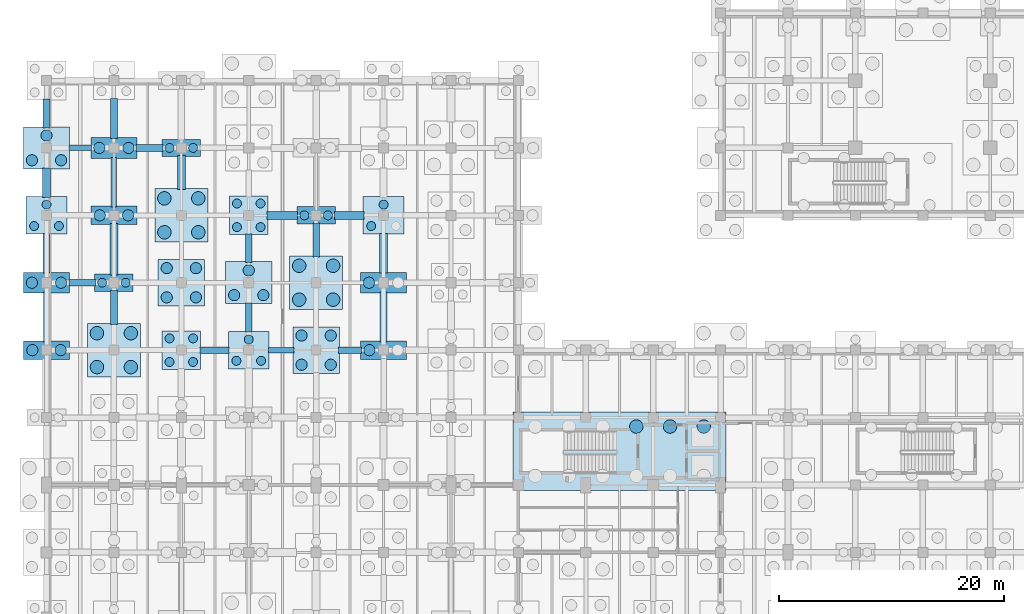
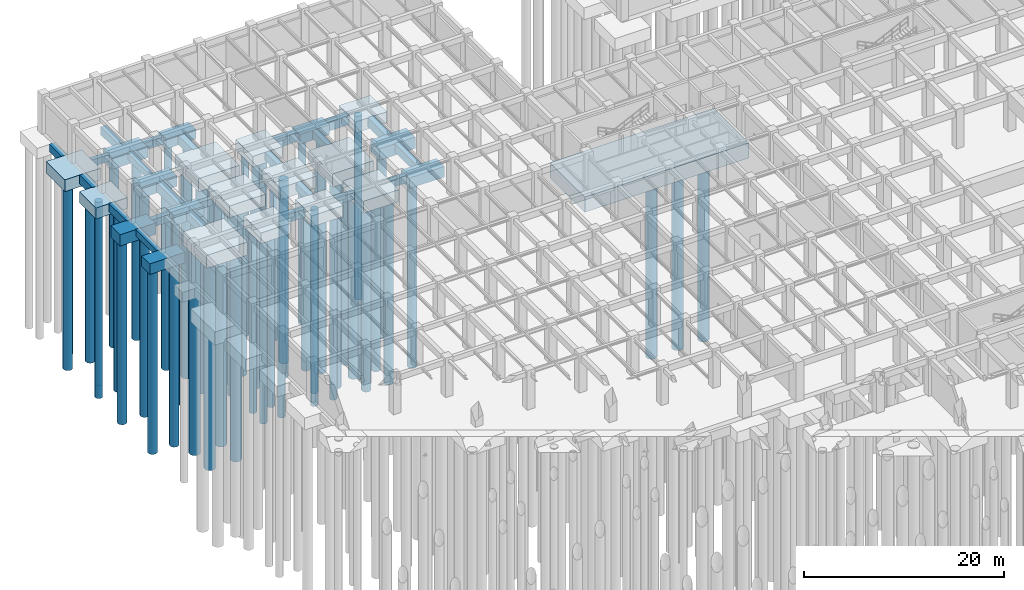
# One storey, part 11 of 54: 61 piles, 44 footings.
"""IFC4 building model written with IfcOpenShell, lengths in metres."""

import ifcopenshell
import ifcopenshell.guid

model = None  # the IFC model being written
_history = None  # IfcOwnerHistory: only IFC2X3 demands one
_inside = {}  # id of a spatial element -> (the spatial element, [elements in it])
_under = {}  # id of a project, library or spatial element -> (it, [spatial elements below it])
_declared = {}  # id of a project -> (the project, [libraries it declares])
_typed = {}  # id of a type object -> (the type object, [elements of that type])
_made_of = {}  # id of a material, layer set ... -> (it, [elements and type objects made of it])


def new_model(schema):
    """Start an empty IFC model of exactly this schema.

    Asked for "IFC4X3", IfcOpenShell would pick the latest addendum, in which some entities
    have other attributes; the version numbers below select the first issue.
    IFC2X3 requires an IfcOwnerHistory on every rooted entity: one is made here for all.
    """
    global model, _history
    if schema == "IFC4X3":
        model = ifcopenshell.file(schema_version=(4, 3, 0, 0))
    else:
        model = ifcopenshell.file(schema=schema)
    _inside.clear()
    _under.clear()
    _declared.clear()
    _typed.clear()
    _made_of.clear()
    _history = None
    if model.schema == "IFC2X3":
        org = make("IfcOrganization", Name="unknown")
        user = make(
            "IfcPersonAndOrganization",
            ThePerson=make("IfcPerson", FamilyName="unknown"),
            TheOrganization=org,
        )
        app = make(
            "IfcApplication",
            ApplicationDeveloper=org,
            Version="unknown",
            ApplicationFullName="unknown",
            ApplicationIdentifier="unknown",
        )
        _history = make(
            "IfcOwnerHistory",
            OwningUser=user,
            OwningApplication=app,
            ChangeAction="ADDED",
            CreationDate=0,
        )
    return model


def make(cls, **values):
    """One entity of the class cls with the attributes given. An attribute that is None is left unset."""
    return model.create_entity(
        cls, **{name: value for name, value in values.items() if value is not None}
    )


def rooted(cls, **values):
    """An entity with a GlobalId (a new one), such as an element, a storey or a relation."""
    return make(cls, GlobalId=ifcopenshell.guid.new(), OwnerHistory=_history, **values)


def si_unit(unit_type, name, prefix=None):
    """IfcSIUnit, for example si_unit("LENGTHUNIT", "METRE", prefix="MILLI")."""
    return make("IfcSIUnit", UnitType=unit_type, Prefix=prefix, Name=name)


def assignment(units):
    """IfcUnitAssignment: the units of a project."""
    return None if units is None else make("IfcUnitAssignment", Units=units)


def point(xyz):
    """IfcCartesianPoint."""
    return None if xyz is None else make("IfcCartesianPoint", Coordinates=xyz)


def direction(xyz):
    """IfcDirection."""
    return None if xyz is None else make("IfcDirection", DirectionRatios=xyz)


def frame(location, z_axis=None, x_axis=None):
    """IfcAxis2Placement3D, a coordinate frame: its origin and axes. An axis left out is left unset."""
    return make(
        "IfcAxis2Placement3D",
        Location=point(location),
        Axis=direction(z_axis),
        RefDirection=direction(x_axis),
    )


def frame_2d(location, x_axis=None):
    """IfcAxis2Placement2D, a coordinate frame in the plane: its origin and x axis."""
    return make(
        "IfcAxis2Placement2D", Location=point(location), RefDirection=direction(x_axis)
    )


def origin():
    """The frame at (0, 0, 0) with its axes left unset."""
    return frame((0.0, 0.0, 0.0))


def origin_2d():
    """The frame at (0, 0) in the plane with its x axis left unset."""
    return frame_2d((0.0, 0.0))


def place(relative_to, where):
    """IfcLocalPlacement: puts the frame where relative to a parent placement (None: the world)."""
    return make(
        "IfcLocalPlacement", PlacementRelTo=relative_to, RelativePlacement=where
    )


def context(
    kind, dimensions, precision=None, world=None, true_north=None, identifier=None
):
    """IfcGeometricRepresentationContext, for example the 3D "Model" context."""
    return make(
        "IfcGeometricRepresentationContext",
        ContextIdentifier=identifier,
        ContextType=kind,
        CoordinateSpaceDimension=dimensions,
        Precision=precision,
        WorldCoordinateSystem=world,
        TrueNorth=true_north,
    )


def subcontext(parent, identifier, kind, view, scale=None):
    """IfcGeometricRepresentationSubContext, for example "Body" below "Model"."""
    return make(
        "IfcGeometricRepresentationSubContext",
        ContextIdentifier=identifier,
        ContextType=kind,
        ParentContext=parent,
        TargetScale=scale,
        TargetView=view,
    )


def project(units=None, contexts=None):
    """IfcProject with its units and contexts."""
    return rooted(
        "IfcProject",
        Name="project",
        RepresentationContexts=contexts,
        UnitsInContext=assignment(units),
    )


def spatial(cls, under=None, at=None, **own):
    """A site, building, storey or space (cls), placed at a placement, below another one or the project."""
    s = rooted(cls, ObjectPlacement=at, **own)
    if under is not None:
        _under.setdefault(under.id(), (under, []))[1].append(s)
    return s


def profile(cls, at=None, kind="AREA", **sizes):
    """A parametric profile (cls). Its sizes go by their IFC names, for example OverallWidth=200.0."""
    return make(cls, ProfileType=kind, Position=at, **sizes)


def rectangle(**sizes):
    """IfcRectangleProfileDef."""
    return profile("IfcRectangleProfileDef", **sizes)


def circle(**sizes):
    """IfcCircleProfileDef."""
    return profile("IfcCircleProfileDef", **sizes)


def extrude(swept, where, along, depth):
    """IfcExtrudedAreaSolid: the profile swept, set in the frame where, extruded along a direction by depth."""
    return make(
        "IfcExtrudedAreaSolid",
        SweptArea=swept,
        Position=where,
        ExtrudedDirection=direction(along),
        Depth=depth,
    )


def shape(context_of_items, identifier, shape_type, items):
    """IfcShapeRepresentation: the items that make up one representation, for example the "Body"."""
    return make(
        "IfcShapeRepresentation",
        ContextOfItems=context_of_items,
        RepresentationIdentifier=identifier,
        RepresentationType=shape_type,
        Items=items,
    )


def material(Name=None, Category=None):
    """IfcMaterial."""
    return make("IfcMaterial", Name=Name, Category=Category)


def material_profile(
    of_material, cross_section, Name=None, Category=None, Priority=None
):
    """IfcMaterialProfile: a cross section and its material."""
    return make(
        "IfcMaterialProfile",
        Name=Name,
        Material=of_material,
        Profile=cross_section,
        Priority=Priority,
        Category=Category,
    )


def profile_set(profiles, Name=None, composite=None):
    """IfcMaterialProfileSet."""
    return make(
        "IfcMaterialProfileSet",
        Name=Name,
        MaterialProfiles=profiles,
        CompositeProfile=composite,
    )


def made_of(thing, what):
    """Note that an element or type object is made of a material, layer set ...; save() writes the relation."""
    if what is not None:
        _made_of.setdefault(what.id(), (what, []))[1].append(thing)
    return thing


def type_object(cls, material=None, **own):
    """A type object (cls), such as IfcWallType, which elements share."""
    return made_of(rooted(cls, **own), material)


def element(
    cls,
    number,
    at=None,
    inside=None,
    cuts=None,
    type_object=None,
    material=None,
    context=None,
    identifier="Body",
    shape_type=None,
    held_by="IfcProductDefinitionShape",
    body=None,
    shapes=None,
    **own,
):
    """One element of the class cls, such as IfcWall. Its Tag is "e" and its number.

    at: its placement. inside: the storey or other place that contains it. cuts: it is an
    opening in that element (IfcRelVoidsElement). A single representation is given by context,
    identifier, shape_type and body (its items); several are given by shapes. held_by: the class
    of the entity that holds the representations. save() writes the other relations.
    """
    e = rooted(cls, Tag="e%d" % number, ObjectPlacement=at, **own)
    if body is not None:
        shapes = [shape(context, identifier, shape_type, body)]
    if shapes is not None:
        e.Representation = make(held_by, Representations=shapes)
    if inside is not None:
        _inside.setdefault(inside.id(), (inside, []))[1].append(e)
    if cuts is not None:
        rooted(
            "IfcRelVoidsElement", RelatingBuildingElement=cuts, RelatedOpeningElement=e
        )
    if type_object is not None:
        _typed.setdefault(type_object.id(), (type_object, []))[1].append(e)
    return made_of(e, material)


def aggregate(whole, parts):
    """IfcRelAggregates: a whole, such as a stair, and the parts it consists of."""
    return rooted("IfcRelAggregates", RelatingObject=whole, RelatedObjects=parts)


def save(model, path):
    """Write the relations noted so far, then the file.

    IfcRelAggregates (storeys below a building ...), IfcRelContainedInSpatialStructure (elements
    in a storey), IfcRelDefinesByType, IfcRelAssociatesMaterial and IfcRelDeclares: one each for
    every whole, place, type object, material and project.
    """
    for whole, parts in _under.values():
        aggregate(whole, parts)
    for where, things in _inside.values():
        rooted(
            "IfcRelContainedInSpatialStructure",
            RelatedElements=things,
            RelatingStructure=where,
        )
    for kind, things in _typed.values():
        rooted("IfcRelDefinesByType", RelatedObjects=things, RelatingType=kind)
    for what, things in _made_of.values():
        rooted("IfcRelAssociatesMaterial", RelatedObjects=things, RelatingMaterial=what)
    for by, libraries in _declared.values():
        rooted("IfcRelDeclares", RelatingContext=by, RelatedDefinitions=libraries)
    model.write(path)


model = new_model("IFC4")

# Units and contexts
model_context = context("Model", 3, precision=1e-05, world=origin(), true_north=direction((0.0, 1.0)))
body_context = subcontext(model_context, "Body", "Model", "MODEL_VIEW")
ifc_project = project(units=[si_unit("LENGTHUNIT", "METRE"), si_unit("AREAUNIT", "SQUARE_METRE"), si_unit("VOLUMEUNIT", "CUBIC_METRE"), si_unit("PLANEANGLEUNIT", "RADIAN"), si_unit("MASSUNIT", "GRAM", prefix="KILO"), si_unit("THERMODYNAMICTEMPERATUREUNIT", "KELVIN"), si_unit("POWERUNIT", "WATT")], contexts=[model_context])

# Site, building, storey
site_placement = place(None, origin())
site = spatial("IfcSite", under=ifc_project, at=site_placement, CompositionType="ELEMENT")
building_placement = place(site_placement, origin())
building = spatial("IfcBuilding", under=site, at=building_placement, Name="Phaisarnlok Congress Hotel", CompositionType="ELEMENT")
storey_placement = place(building_placement, frame((0.0, 0.0, -4.800048828125)))
storey = spatial("IfcBuildingStorey", under=building, at=storey_placement, Name="B01", CompositionType="ELEMENT", Elevation=-4.800048828125)

# Footings
ifc_material_1 = material(Name="Concrete C40/50", Category="concrete")
footing_type_1 = type_object("IfcFootingType", Name="CAP-2P-A", PredefinedType="PILE_CAP", material=ifc_material_1)
for number, where, z_axis, x_axis, name in (
    (1, (6.0, 102.0, -1.69970703125), (0.0, 0.0, 1.0), (1.0, 0.0, 0.0), "Pile cap PC-01 at (6,102)"),
    (2, (12.0, 114.0, -1.69970703125), (0.0, 0.0, 1.0), (1.0, 0.0, 0.0), "Pile cap PC-01 at (12,114)"),
    (3, (24.0, 108.0, -1.69970703125), (0.0, 0.0, 1.0), (1.0, 0.0, 0.0), "Pile cap PC-01 at (24,108)"),
):
    element("IfcFooting", number, at=place(storey_placement, frame(where, z_axis=z_axis, x_axis=x_axis)), inside=storey, type_object=footing_type_1, Name=name, PredefinedType="PILE_CAP", context=body_context, shape_type="SweptSolid", body=[
        extrude(rectangle(XDim=3.43994140625, YDim=1.5400390625, at=origin_2d()), origin(), (0.0, 0.0, 1.0), 1.199951171875),
    ])
footing_type_2 = type_object("IfcFootingType", Name="CAP-2P-B", PredefinedType="PILE_CAP", material=ifc_material_1)
for number, where, z_axis, x_axis, name in (
    (4, (0.0, 96.0, -1.7998046875), (0.0, 0.0, 1.0), (1.0, 0.0, 0.0), "Pile cap PC-02 at (0,96)"),
    (5, (6.0, 108.0, -1.7998046875), (0.0, 0.0, 1.0), (1.0, 0.0, 0.0), "Pile cap PC-02 at (6,108)"),
    (6, (30.0, 96.0, -1.7998046875), (0.0, 0.0, 1.0), (1.0, 0.0, 0.0), "Pile cap PC-02 at (30,96)"),
):
    element("IfcFooting", number, at=place(storey_placement, frame(where, z_axis=z_axis, x_axis=x_axis)), inside=storey, type_object=footing_type_2, Name=name, PredefinedType="PILE_CAP", context=body_context, shape_type="SweptSolid", body=[
        extrude(rectangle(XDim=4.080078125, YDim=1.639892578125, at=origin_2d()), origin(), (0.0, 0.0, 1.0), 1.300048828125),
    ])
footing_type_3 = type_object("IfcFootingType", Name="CAP-2P-C", PredefinedType="PILE_CAP", material=ifc_material_1)
for number, where, z_axis, x_axis, name in (
    (7, (0.0, 102.0, -1.89990234375), (0.0, 0.0, 1.0), (1.0, 0.0, 0.0), "Pile cap PC-03 at (0,102)"),
    (8, (6.0, 114.0, -1.89990234375), (0.0, 0.0, 1.0), (1.0, 0.0, 0.0), "Pile cap PC-03 at (6,114)"),
    (9, (30.0, 102.0, -1.89990234375), (0.0, 0.0, 1.0), (1.0, 0.0, 0.0), "Pile cap PC-03 at (30,102)"),
):
    element("IfcFooting", number, at=place(storey_placement, frame(where, z_axis=z_axis, x_axis=x_axis)), inside=storey, type_object=footing_type_3, Name=name, PredefinedType="PILE_CAP", context=body_context, shape_type="SweptSolid", body=[
        extrude(rectangle(XDim=4.1201171875, YDim=1.840087890625, at=origin_2d()), origin(), (0.0, 0.0, 1.0), 1.39990234375),
    ])
footing_type_4 = type_object("IfcFootingType", Name="CAP-3P-A", PredefinedType="PILE_CAP", material=ifc_material_1)
for number, where, z_axis, x_axis, name in (
    (10, (0.0, 108.0, -1.85009765625), (0.0, 0.0, 1.0), (1.0, 0.0, 0.0), "Pile cap PC-04 at (0,108)"),
    (11, (18.0, 96.0, -1.85009765625), (0.0, 0.0, 1.0), (1.0, 0.0, 0.0), "Pile cap PC-04 at (18,96)"),
    (12, (30.0, 108.0, -1.85009765625), (0.0, 0.0, 1.0), (1.0, 0.0, 0.0), "Pile cap PC-04 at (30,108)"),
):
    element("IfcFooting", number, at=place(storey_placement, frame(where, z_axis=z_axis, x_axis=x_axis)), inside=storey, type_object=footing_type_4, Name=name, PredefinedType="PILE_CAP", context=body_context, shape_type="SweptSolid", body=[
        extrude(rectangle(XDim=3.639892578125, YDim=3.340087890625, at=origin_2d()), origin(), (0.0, 0.0, 1.0), 1.35009765625),
    ])
footing_type_5 = type_object("IfcFootingType", Name="CAP-3P-B", PredefinedType="PILE_CAP", material=ifc_material_1)
for number, where, z_axis, x_axis, name in (
    (13, (0.0, 114.0, -1.94970703125), (0.0, 0.0, 1.0), (1.0, 0.0, 0.0), "Pile cap PC-05 at (0,114)"),
    (14, (18.0, 102.0, -1.94970703125), (0.0, 0.0, 1.0), (1.0, 0.0, 0.0), "Pile cap PC-05 at (18,102)"),
):
    element("IfcFooting", number, at=place(storey_placement, frame(where, z_axis=z_axis, x_axis=x_axis)), inside=storey, type_object=footing_type_5, Name=name, PredefinedType="PILE_CAP", context=body_context, shape_type="SweptSolid", body=[
        extrude(rectangle(XDim=4.1201171875, YDim=3.739990234375, at=origin_2d()), origin(), (0.0, 0.0, 1.0), 1.449951171875),
    ])
footing_type_6 = type_object("IfcFootingType", Name="CAP-4P-A", PredefinedType="PILE_CAP", material=ifc_material_1)
for number, where, z_axis, x_axis, name in (
    (15, (12.0, 96.0, -1.7998046875), (0.0, 0.0, 1.0), (1.0, 0.0, 0.0), "Pile cap PC-06 at (12,96)"),
    (16, (18.0, 108.0, -1.7998046875), (0.0, 0.0, 1.0), (1.0, 0.0, 0.0), "Pile cap PC-06 at (18,108)"),
):
    element("IfcFooting", number, at=place(storey_placement, frame(where, z_axis=z_axis, x_axis=x_axis)), inside=storey, type_object=footing_type_6, Name=name, PredefinedType="PILE_CAP", context=body_context, shape_type="SweptSolid", body=[
        extrude(rectangle(XDim=3.43994140625, YDim=3.43994140625, at=origin_2d()), origin(), (0.0, 0.0, 1.0), 1.300048828125),
    ])
footing_type_7 = type_object("IfcFootingType", Name="CAP-4P-B", PredefinedType="PILE_CAP", material=ifc_material_1)
for number, where, z_axis, x_axis, name in (
    (17, (12.0, 102.0, -1.94970703125), (0.0, 0.0, 1.0), (1.0, 0.0, 0.0), "Pile cap PC-07 at (12,102)"),
    (18, (24.0, 96.0, -1.94970703125), (0.0, 0.0, 1.0), (1.0, 0.0, 0.0), "Pile cap PC-07 at (24,96)"),
):
    element("IfcFooting", number, at=place(storey_placement, frame(where, z_axis=z_axis, x_axis=x_axis)), inside=storey, type_object=footing_type_7, Name=name, PredefinedType="PILE_CAP", context=body_context, shape_type="SweptSolid", body=[
        extrude(rectangle(XDim=4.1201171875, YDim=4.1201171875, at=origin_2d()), origin(), (0.0, 0.0, 1.0), 1.449951171875),
    ])
footing_type_8 = type_object("IfcFootingType", Name="CAP-4P-C", PredefinedType="PILE_CAP", material=ifc_material_1)
for number, where, z_axis, x_axis, name in (
    (19, (6.0, 96.0, -2.10009765625), (0.0, 0.0, 1.0), (1.0, 0.0, 0.0), "Pile cap PC-08 at (6,96)"),
    (20, (12.0, 108.0, -2.10009765625), (0.0, 0.0, 1.0), (1.0, 0.0, 0.0), "Pile cap PC-08 at (12,108)"),
    (21, (24.0, 102.0, -2.10009765625), (0.0, 0.0, 1.0), (1.0, 0.0, 0.0), "Pile cap PC-08 at (24,102)"),
):
    element("IfcFooting", number, at=place(storey_placement, frame(where, z_axis=z_axis, x_axis=x_axis)), inside=storey, type_object=footing_type_8, Name=name, PredefinedType="PILE_CAP", context=body_context, shape_type="SweptSolid", body=[
        extrude(rectangle(XDim=4.719970703125, YDim=4.760009765625, at=origin_2d()), origin(), (0.0, 0.0, 1.0), 1.60009765625),
    ])
footing_type_9 = type_object("IfcFootingType", Name="CAP-CORE-H", PredefinedType="PILE_CAP", material=ifc_material_1)
footing_1_placement = place(storey_placement, frame((51.0, 87.0, -2.35009765625), z_axis=(0.0, 0.0, 1.0), x_axis=(1.0, 0.0, 0.0)))
element("IfcFooting", 22, at=footing_1_placement, inside=storey, type_object=footing_type_9, Name="Core pile cap PC-15 (CORE-5)", PredefinedType="PILE_CAP", context=body_context, shape_type="SweptSolid", body=[
    extrude(rectangle(XDim=19.0, YDim=7.0, at=origin_2d()), origin(), (0.0, 0.0, 1.0), 1.85009765625),
])
ifc_material_profile_1 = material_profile(ifc_material_1, rectangle(XDim=0.5, YDim=0.800048828125, at=origin_2d()), Name="FB-500x800")
ifc_profile_set_1 = profile_set([ifc_material_profile_1], Name="Concrete C40/50")
footing_type_10 = type_object("IfcFootingType", Name="FB-500x800", PredefinedType="FOOTING_BEAM", material=ifc_profile_set_1)
footing_2_placement = place(storey_placement, frame((0.0, 96.7451171875, -0.89990234375), z_axis=(0.0, 1.0, 0.0), x_axis=(-1.0, 0.0, 0.0)))
element("IfcFooting", 23, at=footing_2_placement, inside=storey, type_object=footing_type_10, Name="Ground tie beam FB-01", PredefinedType="FOOTING_BEAM", context=body_context, shape_type="SweptSolid", body=[
    extrude(rectangle(XDim=0.5, YDim=0.800048828125, at=origin_2d()), origin(), (0.0, 0.0, 1.0), 4.409912109375),
])
footing_3_placement = place(storey_placement, frame((1.985107421875, 114.0, -0.89990234375), z_axis=(1.0, 0.0, 0.0), x_axis=(0.0, 1.0, 0.0)))
element("IfcFooting", 24, at=footing_3_placement, inside=storey, type_object=footing_type_10, Name="Ground tie beam FB-01", PredefinedType="FOOTING_BEAM", context=body_context, shape_type="SweptSolid", body=[
    extrude(rectangle(XDim=0.5, YDim=0.800048828125, at=origin_2d()), origin(), (0.0, 0.0, 1.0), 2.02978515625),
])
footing_4_placement = place(storey_placement, frame((6.0, 108.7451171875, -0.89990234375), z_axis=(0.0, 1.0, 0.0), x_axis=(-1.0, 0.0, 0.0)))
element("IfcFooting", 25, at=footing_4_placement, inside=storey, type_object=footing_type_10, Name="Ground tie beam FB-01", PredefinedType="FOOTING_BEAM", context=body_context, shape_type="SweptSolid", body=[
    extrude(rectangle(XDim=0.5, YDim=0.800048828125, at=origin_2d()), origin(), (0.0, 0.0, 1.0), 4.409912109375),
])
footing_5_placement = place(storey_placement, frame((19.7451171875, 96.0, -0.89990234375), z_axis=(1.0, 0.0, 0.0), x_axis=(0.0, 1.0, 0.0)))
element("IfcFooting", 26, at=footing_5_placement, inside=storey, type_object=footing_type_10, Name="Ground tie beam FB-01", PredefinedType="FOOTING_BEAM", context=body_context, shape_type="SweptSolid", body=[
    extrude(rectangle(XDim=0.5, YDim=0.800048828125, at=origin_2d()), origin(), (0.0, 0.0, 1.0), 2.269775390625),
])
ifc_material_profile_2 = material_profile(ifc_material_1, rectangle(XDim=0.60009765625, YDim=1.0, at=origin_2d()), Name="FB-600x1000")
ifc_profile_set_2 = profile_set([ifc_material_profile_2], Name="Concrete C40/50")
footing_type_11 = type_object("IfcFootingType", Name="FB-600x1000", PredefinedType="FOOTING_BEAM", material=ifc_profile_set_2)
footing_6_placement = place(storey_placement, frame((0.0, 102.844970703125, -1.0), z_axis=(0.0, 1.0, 0.0), x_axis=(-1.0, 0.0, 0.0)))
element("IfcFooting", 27, at=footing_6_placement, inside=storey, type_object=footing_type_11, Name="Ground tie beam FB-03", PredefinedType="FOOTING_BEAM", context=body_context, shape_type="SweptSolid", body=[
    extrude(rectangle(XDim=0.60009765625, YDim=1.0, at=origin_2d()), origin(), (0.0, 0.0, 1.0), 3.56005859375),
])
footing_7_placement = place(storey_placement, frame((6.0, 98.304931640625, -1.0), z_axis=(0.0, 1.0, 0.0), x_axis=(-1.0, 0.0, 0.0)))
element("IfcFooting", 28, at=footing_7_placement, inside=storey, type_object=footing_type_11, Name="Ground tie beam FB-03", PredefinedType="FOOTING_BEAM", context=body_context, shape_type="SweptSolid", body=[
    extrude(rectangle(XDim=0.60009765625, YDim=1.0, at=origin_2d()), origin(), (0.0, 0.0, 1.0), 3.0),
])
footing_8_placement = place(storey_placement, frame((6.0, 114.844970703125, -1.0), z_axis=(0.0, 1.0, 0.0), x_axis=(-1.0, 0.0, 0.0)))
element("IfcFooting", 29, at=footing_8_placement, inside=storey, type_object=footing_type_11, Name="Ground tie beam FB-03", PredefinedType="FOOTING_BEAM", context=body_context, shape_type="SweptSolid", body=[
    extrude(rectangle(XDim=0.60009765625, YDim=1.0, at=origin_2d()), origin(), (0.0, 0.0, 1.0), 3.56005859375),
])
footing_9_placement = place(storey_placement, frame((13.64501953125, 96.0, -1.0), z_axis=(1.0, 0.0, 0.0), x_axis=(0.0, 1.0, 0.0)))
element("IfcFooting", 30, at=footing_9_placement, inside=storey, type_object=footing_type_11, Name="Ground tie beam FB-03", PredefinedType="FOOTING_BEAM", context=body_context, shape_type="SweptSolid", body=[
    extrude(rectangle(XDim=0.60009765625, YDim=1.0, at=origin_2d()), origin(), (0.0, 0.0, 1.0), 2.60986328125),
])
footing_10_placement = place(storey_placement, frame((18.0, 103.794921875, -1.0), z_axis=(0.0, 1.0, 0.0), x_axis=(-1.0, 0.0, 0.0)))
element("IfcFooting", 31, at=footing_10_placement, inside=storey, type_object=footing_type_11, Name="Ground tie beam FB-03", PredefinedType="FOOTING_BEAM", context=body_context, shape_type="SweptSolid", body=[
    extrude(rectangle(XDim=0.60009765625, YDim=1.0, at=origin_2d()), origin(), (0.0, 0.0, 1.0), 2.56005859375),
])
footing_11_placement = place(storey_placement, frame((24.0, 104.304931640625, -1.0), z_axis=(0.0, 1.0, 0.0), x_axis=(-1.0, 0.0, 0.0)))
element("IfcFooting", 32, at=footing_11_placement, inside=storey, type_object=footing_type_11, Name="Ground tie beam FB-03", PredefinedType="FOOTING_BEAM", context=body_context, shape_type="SweptSolid", body=[
    extrude(rectangle(XDim=0.60009765625, YDim=1.0, at=origin_2d()), origin(), (0.0, 0.0, 1.0), 3.0),
])
footing_12_placement = place(storey_placement, frame((30.0, 96.7451171875, -1.0), z_axis=(0.0, 1.0, 0.0), x_axis=(-1.0, 0.0, 0.0)))
element("IfcFooting", 33, at=footing_12_placement, inside=storey, type_object=footing_type_11, Name="Ground tie beam FB-03", PredefinedType="FOOTING_BEAM", context=body_context, shape_type="SweptSolid", body=[
    extrude(rectangle(XDim=0.60009765625, YDim=1.0, at=origin_2d()), origin(), (0.0, 0.0, 1.0), 4.409912109375),
])
ifc_material_profile_3 = material_profile(ifc_material_1, rectangle(XDim=0.60009765625, YDim=0.89990234375, at=origin_2d()), Name="FB-600x900")
ifc_profile_set_3 = profile_set([ifc_material_profile_3], Name="Concrete C40/50")
footing_type_12 = type_object("IfcFootingType", Name="FB-600x900", PredefinedType="FOOTING_BEAM", material=ifc_profile_set_3)
footing_13_placement = place(storey_placement, frame((1.985107421875, 102.0, -0.949951171875), z_axis=(1.0, 0.0, 0.0), x_axis=(0.0, 1.0, 0.0)))
element("IfcFooting", 34, at=footing_13_placement, inside=storey, type_object=footing_type_12, Name="Ground tie beam FB-02", PredefinedType="FOOTING_BEAM", context=body_context, shape_type="SweptSolid", body=[
    extrude(rectangle(XDim=0.60009765625, YDim=0.89990234375, at=origin_2d()), origin(), (0.0, 0.0, 1.0), 2.369873046875),
])
footing_14_placement = place(storey_placement, frame((0.0, 115.794921875, -0.949951171875), z_axis=(0.0, 1.0, 0.0), x_axis=(-1.0, 0.0, 0.0)))
element("IfcFooting", 35, at=footing_14_placement, inside=storey, type_object=footing_type_12, Name="Ground tie beam FB-02", PredefinedType="FOOTING_BEAM", context=body_context, shape_type="SweptSolid", body=[
    extrude(rectangle(XDim=0.60009765625, YDim=0.89990234375, at=origin_2d()), origin(), (0.0, 0.0, 1.0), 2.56005859375),
])
footing_15_placement = place(storey_placement, frame((7.985107421875, 114.0, -0.949951171875), z_axis=(1.0, 0.0, 0.0), x_axis=(0.0, 1.0, 0.0)))
element("IfcFooting", 36, at=footing_15_placement, inside=storey, type_object=footing_type_12, Name="Ground tie beam FB-02", PredefinedType="FOOTING_BEAM", context=body_context, shape_type="SweptSolid", body=[
    extrude(rectangle(XDim=0.60009765625, YDim=0.89990234375, at=origin_2d()), origin(), (0.0, 0.0, 1.0), 2.369873046875),
])
footing_16_placement = place(storey_placement, frame((18.0, 97.594970703125, -0.949951171875), z_axis=(0.0, 1.0, 0.0), x_axis=(-1.0, 0.0, 0.0)))
element("IfcFooting", 37, at=footing_16_placement, inside=storey, type_object=footing_type_12, Name="Ground tie beam FB-02", PredefinedType="FOOTING_BEAM", context=body_context, shape_type="SweptSolid", body=[
    extrude(rectangle(XDim=0.60009765625, YDim=0.89990234375, at=origin_2d()), origin(), (0.0, 0.0, 1.0), 2.610107421875),
])
footing_17_placement = place(storey_placement, frame((25.985107421875, 96.0, -0.949951171875), z_axis=(1.0, 0.0, 0.0), x_axis=(0.0, 1.0, 0.0)))
element("IfcFooting", 38, at=footing_17_placement, inside=storey, type_object=footing_type_12, Name="Ground tie beam FB-02", PredefinedType="FOOTING_BEAM", context=body_context, shape_type="SweptSolid", body=[
    extrude(rectangle(XDim=0.60009765625, YDim=0.89990234375, at=origin_2d()), origin(), (0.0, 0.0, 1.0), 2.0498046875),
])
ifc_material_profile_4 = material_profile(ifc_material_1, rectangle(XDim=0.699951171875, YDim=1.10009765625, at=origin_2d()), Name="FB-700x1100")
ifc_profile_set_4 = profile_set([ifc_material_profile_4], Name="Concrete C40/50")
footing_type_13 = type_object("IfcFootingType", Name="FB-700x1100", PredefinedType="FOOTING_BEAM", material=ifc_profile_set_4)
footing_18_placement = place(storey_placement, frame((0.0, 109.594970703125, -1.050048828125), z_axis=(0.0, 1.0, 0.0), x_axis=(-1.0, 0.0, 0.0)))
element("IfcFooting", 39, at=footing_18_placement, inside=storey, type_object=footing_type_13, Name="Ground tie beam FB-04", PredefinedType="FOOTING_BEAM", context=body_context, shape_type="SweptSolid", body=[
    extrude(rectangle(XDim=0.699951171875, YDim=1.10009765625, at=origin_2d()), origin(), (0.0, 0.0, 1.0), 2.610107421875),
])
footing_19_placement = place(storey_placement, frame((6.0, 102.695068359375, -1.050048828125), z_axis=(0.0, 1.0, 0.0), x_axis=(-1.0, 0.0, 0.0)))
element("IfcFooting", 40, at=footing_19_placement, inside=storey, type_object=footing_type_13, Name="Ground tie beam FB-04", PredefinedType="FOOTING_BEAM", context=body_context, shape_type="SweptSolid", body=[
    extrude(rectangle(XDim=0.699951171875, YDim=1.10009765625, at=origin_2d()), origin(), (0.0, 0.0, 1.0), 4.559814453125),
])
footing_20_placement = place(storey_placement, frame((12.0, 110.304931640625, -1.050048828125), z_axis=(0.0, 1.0, 0.0), x_axis=(-1.0, 0.0, 0.0)))
element("IfcFooting", 41, at=footing_20_placement, inside=storey, type_object=footing_type_13, Name="Ground tie beam FB-04", PredefinedType="FOOTING_BEAM", context=body_context, shape_type="SweptSolid", body=[
    extrude(rectangle(XDim=0.699951171875, YDim=1.10009765625, at=origin_2d()), origin(), (0.0, 0.0, 1.0), 3.0),
])
footing_21_placement = place(storey_placement, frame((19.64501953125, 108.0, -1.050048828125), z_axis=(1.0, 0.0, 0.0), x_axis=(0.0, 1.0, 0.0)))
element("IfcFooting", 42, at=footing_21_placement, inside=storey, type_object=footing_type_13, Name="Ground tie beam FB-04", PredefinedType="FOOTING_BEAM", context=body_context, shape_type="SweptSolid", body=[
    extrude(rectangle(XDim=0.699951171875, YDim=1.10009765625, at=origin_2d()), origin(), (0.0, 0.0, 1.0), 2.7099609375),
])
footing_22_placement = place(storey_placement, frame((25.64501953125, 108.0, -1.050048828125), z_axis=(1.0, 0.0, 0.0), x_axis=(0.0, 1.0, 0.0)))
element("IfcFooting", 43, at=footing_22_placement, inside=storey, type_object=footing_type_13, Name="Ground tie beam FB-04", PredefinedType="FOOTING_BEAM", context=body_context, shape_type="SweptSolid", body=[
    extrude(rectangle(XDim=0.699951171875, YDim=1.10009765625, at=origin_2d()), origin(), (0.0, 0.0, 1.0), 2.60986328125),
])
footing_23_placement = place(storey_placement, frame((30.0, 102.844970703125, -1.050048828125), z_axis=(0.0, 1.0, 0.0), x_axis=(-1.0, 0.0, 0.0)))
element("IfcFooting", 44, at=footing_23_placement, inside=storey, type_object=footing_type_13, Name="Ground tie beam FB-04", PredefinedType="FOOTING_BEAM", context=body_context, shape_type="SweptSolid", body=[
    extrude(rectangle(XDim=0.699951171875, YDim=1.10009765625, at=origin_2d()), origin(), (0.0, 0.0, 1.0), 3.56005859375),
])

# Piles
ifc_material_2 = material(Name="Concrete C35/45", Category="concrete")
ifc_material_profile_5 = material_profile(ifc_material_2, circle(Radius=0.5, at=origin_2d()), Name="BORED PILE D1000")
ifc_profile_set_5 = profile_set([ifc_material_profile_5], Name="Concrete C35/45")
pile_type_1 = type_object("IfcPileType", Name="PILE-D1000", PredefinedType="BORED", material=ifc_profile_set_5)
for number, where, z_axis, x_axis, name in (
    (45, (-1.260009765625, 96.0, -1.699951171875), (0.0, 0.0, -1.0), (1.0, 0.0, 0.0), "Bored pile PL-02 (FTG-B01-000-096-1)"),
    (46, (1.260009765625, 96.0, -1.699951171875), (0.0, 0.0, -1.0), (1.0, 0.0, 0.0), "Bored pile PL-02 (FTG-B01-000-096-2)"),
):
    element("IfcPile", number, at=place(storey_placement, frame(where, z_axis=z_axis, x_axis=x_axis)), inside=storey, type_object=pile_type_1, Name=name, PredefinedType="BORED", context=body_context, shape_type="SweptSolid", body=[
        extrude(circle(Radius=0.5, at=origin_2d()), origin(), (0.0, 0.0, 1.0), 22.5),
    ])
for number, where, z_axis, x_axis, name in (
    (47, (-1.300048828125, 102.0, -1.800048828125), (0.0, 0.0, -1.0), (1.0, 0.0, 0.0), "Bored pile PL-02 (FTG-B01-000-102-1)"),
    (48, (1.300048828125, 102.0, -1.800048828125), (0.0, 0.0, -1.0), (1.0, 0.0, 0.0), "Bored pile PL-02 (FTG-B01-000-102-2)"),
):
    element("IfcPile", number, at=place(storey_placement, frame(where, z_axis=z_axis, x_axis=x_axis)), inside=storey, type_object=pile_type_1, Name=name, PredefinedType="BORED", context=body_context, shape_type="SweptSolid", body=[
        extrude(circle(Radius=0.5, at=origin_2d()), origin(), (0.0, 0.0, 1.0), 22.39990234375),
    ])
for number, where, z_axis, x_axis, name in (
    (49, (-1.300048828125, 112.89990234375, -1.849853515625), (0.0, 0.0, -1.0), (1.0, 0.0, 0.0), "Bored pile PL-02 (FTG-B01-000-114-1)"),
    (50, (1.300048828125, 112.89990234375, -1.849853515625), (0.0, 0.0, -1.0), (1.0, 0.0, 0.0), "Bored pile PL-02 (FTG-B01-000-114-2)"),
    (51, (0.0, 115.10009765625, -1.849853515625), (0.0, 0.0, -1.0), (1.0, 0.0, 0.0), "Bored pile PL-02 (FTG-B01-000-114-3)"),
):
    element("IfcPile", number, at=place(storey_placement, frame(where, z_axis=z_axis, x_axis=x_axis)), inside=storey, type_object=pile_type_1, Name=name, PredefinedType="BORED", context=body_context, shape_type="SweptSolid", body=[
        extrude(circle(Radius=0.5, at=origin_2d()), origin(), (0.0, 0.0, 1.0), 22.35009765625),
    ])
for number, where, z_axis, x_axis, name in (
    (52, (4.739990234375, 108.0, -1.699951171875), (0.0, 0.0, -1.0), (1.0, 0.0, 0.0), "Bored pile PL-02 (FTG-B01-006-108-1)"),
    (53, (7.260009765625, 108.0, -1.699951171875), (0.0, 0.0, -1.0), (1.0, 0.0, 0.0), "Bored pile PL-02 (FTG-B01-006-108-2)"),
):
    element("IfcPile", number, at=place(storey_placement, frame(where, z_axis=z_axis, x_axis=x_axis)), inside=storey, type_object=pile_type_1, Name=name, PredefinedType="BORED", context=body_context, shape_type="SweptSolid", body=[
        extrude(circle(Radius=0.5, at=origin_2d()), origin(), (0.0, 0.0, 1.0), 22.5),
    ])
for number, where, z_axis, x_axis, name in (
    (54, (4.699951171875, 114.0, -1.800048828125), (0.0, 0.0, -1.0), (1.0, 0.0, 0.0), "Bored pile PL-02 (FTG-B01-006-114-1)"),
    (55, (7.300048828125, 114.0, -1.800048828125), (0.0, 0.0, -1.0), (1.0, 0.0, 0.0), "Bored pile PL-02 (FTG-B01-006-114-2)"),
):
    element("IfcPile", number, at=place(storey_placement, frame(where, z_axis=z_axis, x_axis=x_axis)), inside=storey, type_object=pile_type_1, Name=name, PredefinedType="BORED", context=body_context, shape_type="SweptSolid", body=[
        extrude(circle(Radius=0.5, at=origin_2d()), origin(), (0.0, 0.0, 1.0), 22.39990234375),
    ])
for number, where, z_axis, x_axis, name in (
    (56, (10.699951171875, 100.699951171875, -1.849853515625), (0.0, 0.0, -1.0), (1.0, 0.0, 0.0), "Bored pile PL-02 (FTG-B01-012-102-1)"),
    (57, (13.300048828125, 100.699951171875, -1.849853515625), (0.0, 0.0, -1.0), (1.0, 0.0, 0.0), "Bored pile PL-02 (FTG-B01-012-102-2)"),
    (58, (10.699951171875, 103.300048828125, -1.849853515625), (0.0, 0.0, -1.0), (1.0, 0.0, 0.0), "Bored pile PL-02 (FTG-B01-012-102-3)"),
    (59, (13.300048828125, 103.300048828125, -1.849853515625), (0.0, 0.0, -1.0), (1.0, 0.0, 0.0), "Bored pile PL-02 (FTG-B01-012-102-4)"),
    (60, (16.699951171875, 100.89990234375, -1.849853515625), (0.0, 0.0, -1.0), (1.0, 0.0, 0.0), "Bored pile PL-02 (FTG-B01-018-102-1)"),
    (61, (19.300048828125, 100.89990234375, -1.849853515625), (0.0, 0.0, -1.0), (1.0, 0.0, 0.0), "Bored pile PL-02 (FTG-B01-018-102-2)"),
    (62, (18.0, 103.10009765625, -1.849853515625), (0.0, 0.0, -1.0), (1.0, 0.0, 0.0), "Bored pile PL-02 (FTG-B01-018-102-3)"),
    (63, (22.699951171875, 94.699951171875, -1.849853515625), (0.0, 0.0, -1.0), (1.0, 0.0, 0.0), "Bored pile PL-02 (FTG-B01-024-096-1)"),
    (64, (25.300048828125, 94.699951171875, -1.849853515625), (0.0, 0.0, -1.0), (1.0, 0.0, 0.0), "Bored pile PL-02 (FTG-B01-024-096-2)"),
    (65, (22.699951171875, 97.300048828125, -1.849853515625), (0.0, 0.0, -1.0), (1.0, 0.0, 0.0), "Bored pile PL-02 (FTG-B01-024-096-3)"),
    (66, (25.300048828125, 97.300048828125, -1.849853515625), (0.0, 0.0, -1.0), (1.0, 0.0, 0.0), "Bored pile PL-02 (FTG-B01-024-096-4)"),
):
    element("IfcPile", number, at=place(storey_placement, frame(where, z_axis=z_axis, x_axis=x_axis)), inside=storey, type_object=pile_type_1, Name=name, PredefinedType="BORED", context=body_context, shape_type="SweptSolid", body=[
        extrude(circle(Radius=0.5, at=origin_2d()), origin(), (0.0, 0.0, 1.0), 22.35009765625),
    ])
pile_1_placement = place(storey_placement, frame((28.739990234375, 96.0, -1.699951171875), z_axis=(0.0, 0.0, -1.0), x_axis=(1.0, 0.0, 0.0)))
element("IfcPile", 67, at=pile_1_placement, inside=storey, type_object=pile_type_1, Name="Bored pile PL-02 (FTG-B01-030-096-1)", PredefinedType="BORED", context=body_context, shape_type="SweptSolid", body=[
    extrude(circle(Radius=0.5, at=origin_2d()), origin(), (0.0, 0.0, 1.0), 22.5),
])
pile_2_placement = place(storey_placement, frame((28.699951171875, 102.0, -1.800048828125), z_axis=(0.0, 0.0, -1.0), x_axis=(1.0, 0.0, 0.0)))
element("IfcPile", 68, at=pile_2_placement, inside=storey, type_object=pile_type_1, Name="Bored pile PL-02 (FTG-B01-030-102-1)", PredefinedType="BORED", context=body_context, shape_type="SweptSolid", body=[
    extrude(circle(Radius=0.5, at=origin_2d()), origin(), (0.0, 0.0, 1.0), 22.39990234375),
])
ifc_material_profile_6 = material_profile(ifc_material_2, circle(Radius=0.60009765625, at=origin_2d()), Name="BORED PILE D1200")
ifc_profile_set_6 = profile_set([ifc_material_profile_6], Name="Concrete C35/45")
pile_type_2 = type_object("IfcPileType", Name="PILE-D1200", PredefinedType="BORED", material=ifc_profile_set_6)
for number, where, z_axis, x_axis, name in (
    (69, (52.5, 89.199951171875, -2.25), (0.0, 0.0, -1.0), (1.0, 0.0, 0.0), "Bored pile PL-03 (CORE-5-08)"),
    (70, (55.5, 89.199951171875, -2.25), (0.0, 0.0, -1.0), (1.0, 0.0, 0.0), "Bored pile PL-03 (CORE-5-10)"),
    (71, (58.5, 89.199951171875, -2.25), (0.0, 0.0, -1.0), (1.0, 0.0, 0.0), "Bored pile PL-03 (CORE-5-12)"),
):
    element("IfcPile", number, at=place(storey_placement, frame(where, z_axis=z_axis, x_axis=x_axis)), inside=storey, type_object=pile_type_2, Name=name, PredefinedType="BORED", context=body_context, shape_type="SweptSolid", body=[
        extrude(circle(Radius=0.60009765625, at=origin_2d()), origin(), (0.0, 0.0, 1.0), 24.949951171875),
    ])
for number, where, z_axis, x_axis, name in (
    (72, (4.489990234375, 94.489990234375, -2.0), (0.0, 0.0, -1.0), (1.0, 0.0, 0.0), "Bored pile PL-03 (FTG-B01-006-096-1)"),
    (73, (7.510009765625, 94.489990234375, -2.0), (0.0, 0.0, -1.0), (1.0, 0.0, 0.0), "Bored pile PL-03 (FTG-B01-006-096-2)"),
    (74, (4.489990234375, 97.510009765625, -2.0), (0.0, 0.0, -1.0), (1.0, 0.0, 0.0), "Bored pile PL-03 (FTG-B01-006-096-3)"),
    (75, (7.510009765625, 97.510009765625, -2.0), (0.0, 0.0, -1.0), (1.0, 0.0, 0.0), "Bored pile PL-03 (FTG-B01-006-096-4)"),
    (76, (10.489990234375, 106.489990234375, -2.0), (0.0, 0.0, -1.0), (1.0, 0.0, 0.0), "Bored pile PL-03 (FTG-B01-012-108-1)"),
    (77, (13.510009765625, 106.489990234375, -2.0), (0.0, 0.0, -1.0), (1.0, 0.0, 0.0), "Bored pile PL-03 (FTG-B01-012-108-2)"),
    (78, (10.489990234375, 109.510009765625, -2.0), (0.0, 0.0, -1.0), (1.0, 0.0, 0.0), "Bored pile PL-03 (FTG-B01-012-108-3)"),
    (79, (13.510009765625, 109.510009765625, -2.0), (0.0, 0.0, -1.0), (1.0, 0.0, 0.0), "Bored pile PL-03 (FTG-B01-012-108-4)"),
    (80, (22.489990234375, 100.489990234375, -2.0), (0.0, 0.0, -1.0), (1.0, 0.0, 0.0), "Bored pile PL-03 (FTG-B01-024-102-1)"),
    (81, (25.510009765625, 100.489990234375, -2.0), (0.0, 0.0, -1.0), (1.0, 0.0, 0.0), "Bored pile PL-03 (FTG-B01-024-102-2)"),
    (82, (22.489990234375, 103.510009765625, -2.0), (0.0, 0.0, -1.0), (1.0, 0.0, 0.0), "Bored pile PL-03 (FTG-B01-024-102-3)"),
    (83, (25.510009765625, 103.510009765625, -2.0), (0.0, 0.0, -1.0), (1.0, 0.0, 0.0), "Bored pile PL-03 (FTG-B01-024-102-4)"),
):
    element("IfcPile", number, at=place(storey_placement, frame(where, z_axis=z_axis, x_axis=x_axis)), inside=storey, type_object=pile_type_2, Name=name, PredefinedType="BORED", context=body_context, shape_type="SweptSolid", body=[
        extrude(circle(Radius=0.60009765625, at=origin_2d()), origin(), (0.0, 0.0, 1.0), 25.199951171875),
    ])
ifc_material_profile_7 = material_profile(ifc_material_2, circle(Radius=0.39990234375, at=origin_2d()), Name="BORED PILE D800")
ifc_profile_set_7 = profile_set([ifc_material_profile_7], Name="Concrete C35/45")
pile_type_3 = type_object("IfcPileType", Name="PILE-D800", PredefinedType="BORED", material=ifc_profile_set_7)
for number, where, z_axis, x_axis, name in (
    (84, (-1.10009765625, 107.050048828125, -1.75), (0.0, 0.0, -1.0), (1.0, 0.0, 0.0), "Bored pile PL-01 (FTG-B01-000-108-1)"),
    (85, (1.10009765625, 107.050048828125, -1.75), (0.0, 0.0, -1.0), (1.0, 0.0, 0.0), "Bored pile PL-01 (FTG-B01-000-108-2)"),
    (86, (0.0, 108.949951171875, -1.75), (0.0, 0.0, -1.0), (1.0, 0.0, 0.0), "Bored pile PL-01 (FTG-B01-000-108-3)"),
):
    element("IfcPile", number, at=place(storey_placement, frame(where, z_axis=z_axis, x_axis=x_axis)), inside=storey, type_object=pile_type_3, Name=name, PredefinedType="BORED", context=body_context, shape_type="SweptSolid", body=[
        extrude(circle(Radius=0.39990234375, at=origin_2d()), origin(), (0.0, 0.0, 1.0), 22.449951171875),
    ])
for number, where, z_axis, x_axis, name in (
    (87, (4.949951171875, 102.0, -1.599853515625), (0.0, 0.0, -1.0), (1.0, 0.0, 0.0), "Bored pile PL-01 (FTG-B01-006-102-1)"),
    (88, (7.050048828125, 102.0, -1.599853515625), (0.0, 0.0, -1.0), (1.0, 0.0, 0.0), "Bored pile PL-01 (FTG-B01-006-102-2)"),
):
    element("IfcPile", number, at=place(storey_placement, frame(where, z_axis=z_axis, x_axis=x_axis)), inside=storey, type_object=pile_type_3, Name=name, PredefinedType="BORED", context=body_context, shape_type="SweptSolid", body=[
        extrude(circle(Radius=0.39990234375, at=origin_2d()), origin(), (0.0, 0.0, 1.0), 22.60009765625),
    ])
for number, where, z_axis, x_axis, name in (
    (89, (10.949951171875, 94.949951171875, -1.699951171875), (0.0, 0.0, -1.0), (1.0, 0.0, 0.0), "Bored pile PL-01 (FTG-B01-012-096-1)"),
    (90, (13.050048828125, 94.949951171875, -1.699951171875), (0.0, 0.0, -1.0), (1.0, 0.0, 0.0), "Bored pile PL-01 (FTG-B01-012-096-2)"),
    (91, (10.949951171875, 97.050048828125, -1.699951171875), (0.0, 0.0, -1.0), (1.0, 0.0, 0.0), "Bored pile PL-01 (FTG-B01-012-096-3)"),
    (92, (13.050048828125, 97.050048828125, -1.699951171875), (0.0, 0.0, -1.0), (1.0, 0.0, 0.0), "Bored pile PL-01 (FTG-B01-012-096-4)"),
):
    element("IfcPile", number, at=place(storey_placement, frame(where, z_axis=z_axis, x_axis=x_axis)), inside=storey, type_object=pile_type_3, Name=name, PredefinedType="BORED", context=body_context, shape_type="SweptSolid", body=[
        extrude(circle(Radius=0.39990234375, at=origin_2d()), origin(), (0.0, 0.0, 1.0), 22.5),
    ])
for number, where, z_axis, x_axis, name in (
    (93, (10.949951171875, 114.0, -1.599853515625), (0.0, 0.0, -1.0), (1.0, 0.0, 0.0), "Bored pile PL-01 (FTG-B01-012-114-1)"),
    (94, (13.050048828125, 114.0, -1.599853515625), (0.0, 0.0, -1.0), (1.0, 0.0, 0.0), "Bored pile PL-01 (FTG-B01-012-114-2)"),
):
    element("IfcPile", number, at=place(storey_placement, frame(where, z_axis=z_axis, x_axis=x_axis)), inside=storey, type_object=pile_type_3, Name=name, PredefinedType="BORED", context=body_context, shape_type="SweptSolid", body=[
        extrude(circle(Radius=0.39990234375, at=origin_2d()), origin(), (0.0, 0.0, 1.0), 22.60009765625),
    ])
for number, where, z_axis, x_axis, name in (
    (95, (16.89990234375, 95.050048828125, -1.75), (0.0, 0.0, -1.0), (1.0, 0.0, 0.0), "Bored pile PL-01 (FTG-B01-018-096-1)"),
    (96, (19.10009765625, 95.050048828125, -1.75), (0.0, 0.0, -1.0), (1.0, 0.0, 0.0), "Bored pile PL-01 (FTG-B01-018-096-2)"),
    (97, (18.0, 96.949951171875, -1.75), (0.0, 0.0, -1.0), (1.0, 0.0, 0.0), "Bored pile PL-01 (FTG-B01-018-096-3)"),
):
    element("IfcPile", number, at=place(storey_placement, frame(where, z_axis=z_axis, x_axis=x_axis)), inside=storey, type_object=pile_type_3, Name=name, PredefinedType="BORED", context=body_context, shape_type="SweptSolid", body=[
        extrude(circle(Radius=0.39990234375, at=origin_2d()), origin(), (0.0, 0.0, 1.0), 22.449951171875),
    ])
for number, where, z_axis, x_axis, name in (
    (98, (16.949951171875, 106.949951171875, -1.699951171875), (0.0, 0.0, -1.0), (1.0, 0.0, 0.0), "Bored pile PL-01 (FTG-B01-018-108-1)"),
    (99, (19.050048828125, 106.949951171875, -1.699951171875), (0.0, 0.0, -1.0), (1.0, 0.0, 0.0), "Bored pile PL-01 (FTG-B01-018-108-2)"),
    (100, (16.949951171875, 109.050048828125, -1.699951171875), (0.0, 0.0, -1.0), (1.0, 0.0, 0.0), "Bored pile PL-01 (FTG-B01-018-108-3)"),
    (101, (19.050048828125, 109.050048828125, -1.699951171875), (0.0, 0.0, -1.0), (1.0, 0.0, 0.0), "Bored pile PL-01 (FTG-B01-018-108-4)"),
):
    element("IfcPile", number, at=place(storey_placement, frame(where, z_axis=z_axis, x_axis=x_axis)), inside=storey, type_object=pile_type_3, Name=name, PredefinedType="BORED", context=body_context, shape_type="SweptSolid", body=[
        extrude(circle(Radius=0.39990234375, at=origin_2d()), origin(), (0.0, 0.0, 1.0), 22.5),
    ])
for number, where, z_axis, x_axis, name in (
    (102, (22.949951171875, 108.0, -1.599853515625), (0.0, 0.0, -1.0), (1.0, 0.0, 0.0), "Bored pile PL-01 (FTG-B01-024-108-1)"),
    (103, (25.050048828125, 108.0, -1.599853515625), (0.0, 0.0, -1.0), (1.0, 0.0, 0.0), "Bored pile PL-01 (FTG-B01-024-108-2)"),
):
    element("IfcPile", number, at=place(storey_placement, frame(where, z_axis=z_axis, x_axis=x_axis)), inside=storey, type_object=pile_type_3, Name=name, PredefinedType="BORED", context=body_context, shape_type="SweptSolid", body=[
        extrude(circle(Radius=0.39990234375, at=origin_2d()), origin(), (0.0, 0.0, 1.0), 22.60009765625),
    ])
for number, where, z_axis, x_axis, name in (
    (104, (28.89990234375, 107.050048828125, -1.75), (0.0, 0.0, -1.0), (1.0, 0.0, 0.0), "Bored pile PL-01 (FTG-B01-030-108-1)"),
    (105, (30.0, 108.949951171875, -1.75), (0.0, 0.0, -1.0), (1.0, 0.0, 0.0), "Bored pile PL-01 (FTG-B01-030-108-3)"),
):
    element("IfcPile", number, at=place(storey_placement, frame(where, z_axis=z_axis, x_axis=x_axis)), inside=storey, type_object=pile_type_3, Name=name, PredefinedType="BORED", context=body_context, shape_type="SweptSolid", body=[
        extrude(circle(Radius=0.39990234375, at=origin_2d()), origin(), (0.0, 0.0, 1.0), 22.449951171875),
    ])

save(model, "model.ifc")
